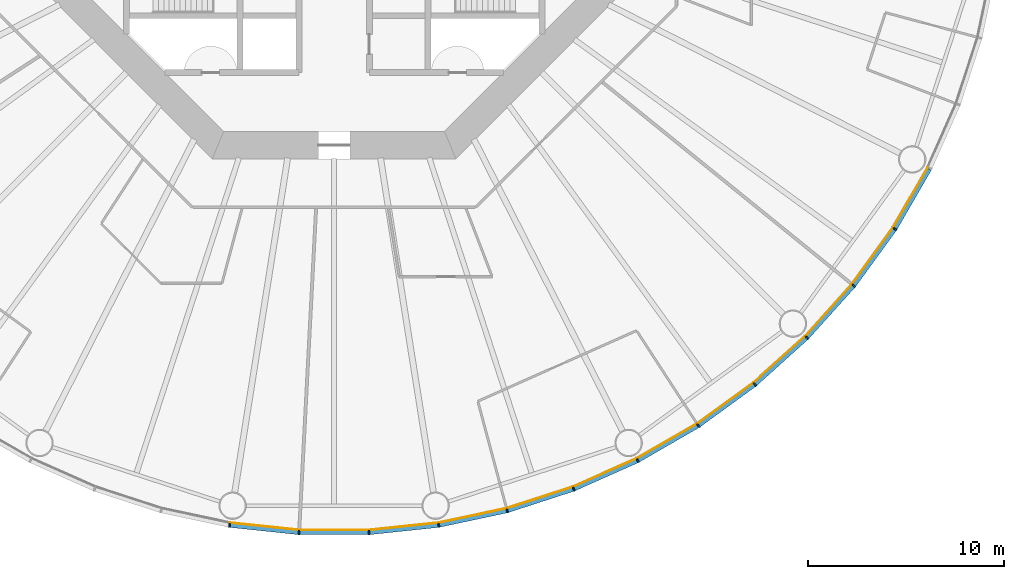
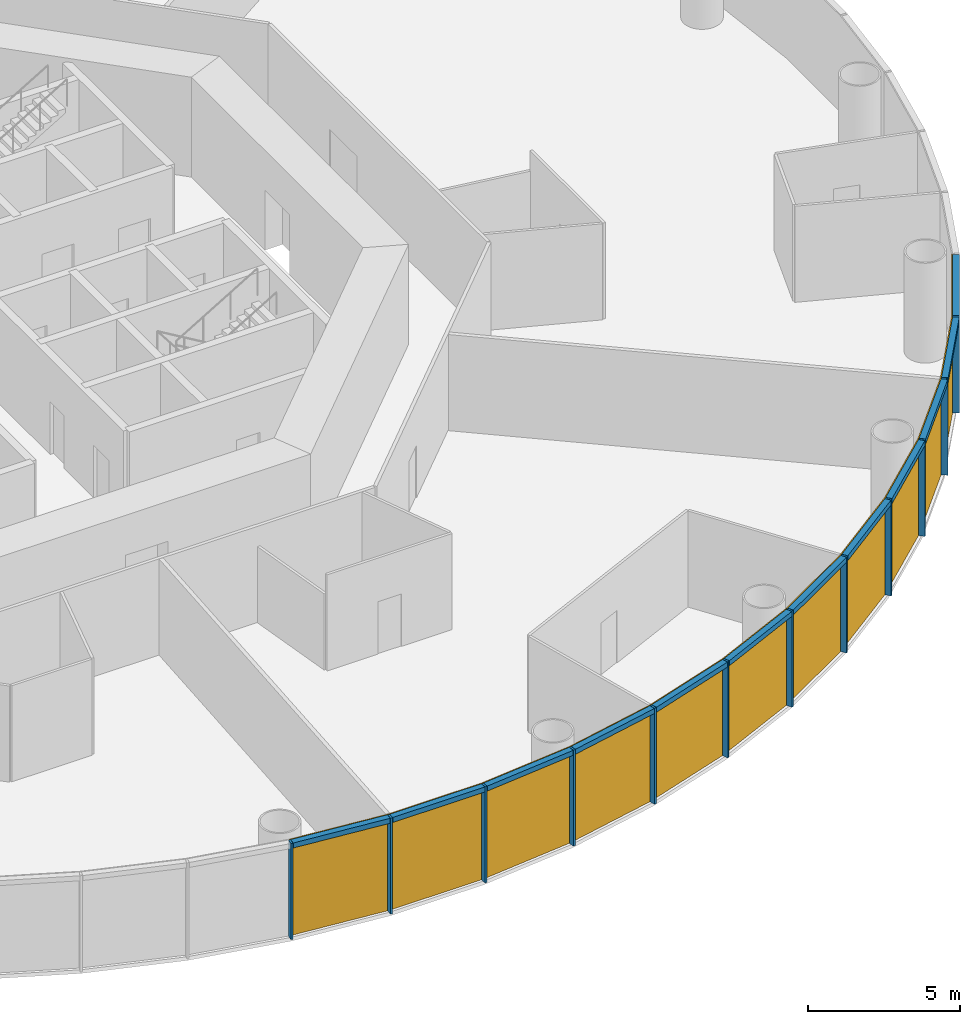
# One storey, part 8 of 13: 24 members, 4 curtain walls.
"""IFC4 building model written with IfcOpenShell, lengths in metres."""

from ifc_helpers import new_model, si_unit, direction, frame, origin, origin_2d, place, context, subcontext, project, spatial, polyline, rectangle, outline, extrude, material, layer, layer_set, material_profile, profile_set, type_object, element, aggregate, save


model = new_model("IFC4")

# Units and contexts
model_context = context("Model", 3, precision=1e-05, world=origin(), true_north=direction((0.0, 1.0)))
body_context = subcontext(model_context, "Body", "Model", "MODEL_VIEW")
ifc_project = project(units=[si_unit("LENGTHUNIT", "METRE"), si_unit("AREAUNIT", "SQUARE_METRE"), si_unit("VOLUMEUNIT", "CUBIC_METRE"), si_unit("PLANEANGLEUNIT", "RADIAN"), si_unit("MASSUNIT", "GRAM", prefix="KILO")], contexts=[model_context])

# Member
ifc_material_1 = material(Name="Anodised aluminium", Category="aluminium")
ifc_material_profile_1 = material_profile(ifc_material_1, rectangle(XDim=0.074951171875, YDim=0.219970703125, at=origin_2d()), Name="Mullion 75 x 220 mm anodised aluminium")
ifc_profile_set_1 = profile_set([ifc_material_profile_1], Name="Anodised aluminium")
member_type_1 = type_object("IfcMemberType", Name="Mullion 75 x 220 mm anodised aluminium", PredefinedType="MULLION", material=ifc_profile_set_1)
site_placement = place(None, origin())
building_placement = place(site_placement, origin())
storey_placement = place(building_placement, frame((0.0, 0.0, 30.0)))
member_1_placement = place(storey_placement, frame((84.6640625, 46.31005859375, 0.0), z_axis=(0.0, 0.0, 1.0), x_axis=(0.987688340595, -0.15643446504, 0.0)))
member_1 = element("IfcMember", 1, at=member_1_placement, type_object=member_type_1, Name="MULLION L05-42", PredefinedType="MULLION", context=body_context, shape_type="SweptSolid", body=[
    extrude(rectangle(XDim=0.074951171875, YDim=0.219970703125, at=origin_2d()), origin(), (0.0, 0.0, 1.0), 3.85009765625),
])

member_2_placement = place(storey_placement, frame((88.21484375, 45.936767578125, 0.0), z_axis=(0.0, 0.0, 1.0), x_axis=(0.998629534755, -0.052335956243, 0.0)))
member_2 = element("IfcMember", 2, at=member_2_placement, type_object=member_type_1, Name="MULLION L05-43", PredefinedType="MULLION", context=body_context, shape_type="SweptSolid", body=[
    extrude(rectangle(XDim=0.074951171875, YDim=0.219970703125, at=origin_2d()), origin(), (0.0, 0.0, 1.0), 3.85009765625),
])

member_3_placement = place(storey_placement, frame((91.78515625, 45.936767578125, 0.0), z_axis=(0.0, 0.0, 1.0), x_axis=(0.998629534755, 0.052335956243, 0.0)))
member_3 = element("IfcMember", 3, at=member_3_placement, type_object=member_type_1, Name="MULLION L05-44", PredefinedType="MULLION", context=body_context, shape_type="SweptSolid", body=[
    extrude(rectangle(XDim=0.074951171875, YDim=0.219970703125, at=origin_2d()), origin(), (0.0, 0.0, 1.0), 3.85009765625),
])

member_4_placement = place(storey_placement, frame((95.3359375, 46.31005859375, 0.0), z_axis=(0.0, 0.0, 1.0), x_axis=(0.987688340595, 0.15643446504, 0.0)))
member_4 = element("IfcMember", 4, at=member_4_placement, type_object=member_type_1, Name="MULLION L05-45", PredefinedType="MULLION", context=body_context, shape_type="SweptSolid", body=[
    extrude(rectangle(XDim=0.074951171875, YDim=0.219970703125, at=origin_2d()), origin(), (0.0, 0.0, 1.0), 3.85009765625),
])

member_5_placement = place(storey_placement, frame((98.828369140625, 47.05224609375, 0.0), z_axis=(0.0, 0.0, 1.0), x_axis=(0.965925826289, 0.258819045103, 0.0)))
member_5 = element("IfcMember", 5, at=member_5_placement, type_object=member_type_1, Name="MULLION L05-46", PredefinedType="MULLION", context=body_context, shape_type="SweptSolid", body=[
    extrude(rectangle(XDim=0.074951171875, YDim=0.219970703125, at=origin_2d()), origin(), (0.0, 0.0, 1.0), 3.85009765625),
])

member_6_placement = place(storey_placement, frame((102.223876953125, 48.155517578125, 0.0), z_axis=(0.0, 0.0, 1.0), x_axis=(0.933580426497, 0.358367949545, 0.0)))
member_6 = element("IfcMember", 6, at=member_6_placement, type_object=member_type_1, Name="MULLION L05-47", PredefinedType="MULLION", context=body_context, shape_type="SweptSolid", body=[
    extrude(rectangle(XDim=0.074951171875, YDim=0.219970703125, at=origin_2d()), origin(), (0.0, 0.0, 1.0), 3.85009765625),
])

member_7_placement = place(storey_placement, frame((105.485595703125, 49.607666015625, 0.0), z_axis=(0.0, 0.0, 1.0), x_axis=(0.891006524188, 0.45399049974, 0.0)))
member_7 = element("IfcMember", 7, at=member_7_placement, type_object=member_type_1, Name="MULLION L05-48", PredefinedType="MULLION", context=body_context, shape_type="SweptSolid", body=[
    extrude(rectangle(XDim=0.074951171875, YDim=0.219970703125, at=origin_2d()), origin(), (0.0, 0.0, 1.0), 3.85009765625),
])

member_8_placement = place(storey_placement, frame((108.57763671875, 51.39306640625, 0.0), z_axis=(0.0, 0.0, 1.0), x_axis=(0.838670567945, 0.544639035015, 0.0)))
member_8 = element("IfcMember", 8, at=member_8_placement, type_object=member_type_1, Name="MULLION L05-49", PredefinedType="MULLION", context=body_context, shape_type="SweptSolid", body=[
    extrude(rectangle(XDim=0.074951171875, YDim=0.219970703125, at=origin_2d()), origin(), (0.0, 0.0, 1.0), 3.85009765625),
])

member_9_placement = place(storey_placement, frame((111.466064453125, 53.491455078125, 0.0), z_axis=(0.0, 0.0, 1.0), x_axis=(0.777145961457, 0.62932039105, 0.0)))
member_9 = element("IfcMember", 9, at=member_9_placement, type_object=member_type_1, Name="MULLION L05-50", PredefinedType="MULLION", context=body_context, shape_type="SweptSolid", body=[
    extrude(rectangle(XDim=0.074951171875, YDim=0.219970703125, at=origin_2d()), origin(), (0.0, 0.0, 1.0), 3.85009765625),
])

member_10_placement = place(storey_placement, frame((114.119384765625, 55.880615234375, 0.0), z_axis=(0.0, 0.0, 1.0), x_axis=(0.707106781187, 0.707106781187, 0.0)))
member_10 = element("IfcMember", 10, at=member_10_placement, type_object=member_type_1, Name="MULLION L05-51", PredefinedType="MULLION", context=body_context, shape_type="SweptSolid", body=[
    extrude(rectangle(XDim=0.074951171875, YDim=0.219970703125, at=origin_2d()), origin(), (0.0, 0.0, 1.0), 3.85009765625),
])

member_11_placement = place(storey_placement, frame((116.508544921875, 58.533935546875, 0.0), z_axis=(0.0, 0.0, 1.0), x_axis=(0.62932039105, 0.777145961457, 0.0)))
member_11 = element("IfcMember", 11, at=member_11_placement, type_object=member_type_1, Name="MULLION L05-52", PredefinedType="MULLION", context=body_context, shape_type="SweptSolid", body=[
    extrude(rectangle(XDim=0.074951171875, YDim=0.219970703125, at=origin_2d()), origin(), (0.0, 0.0, 1.0), 3.85009765625),
])

member_12_placement = place(storey_placement, frame((118.60693359375, 61.42236328125, 0.0), z_axis=(0.0, 0.0, 1.0), x_axis=(0.544639035015, 0.838670567945, 0.0)))
member_12 = element("IfcMember", 12, at=member_12_placement, type_object=member_type_1, Name="MULLION L05-53", PredefinedType="MULLION", context=body_context, shape_type="SweptSolid", body=[
    extrude(rectangle(XDim=0.074951171875, YDim=0.219970703125, at=origin_2d()), origin(), (0.0, 0.0, 1.0), 3.85009765625),
])

ifc_material_2 = material(Name="Anodised aluminium", Category="aluminium")
ifc_material_profile_2 = material_profile(ifc_material_2, rectangle(XDim=0.219970703125, YDim=0.199951171875, at=origin_2d()), Name="Transom 200 x 220 mm anodised aluminium")
ifc_profile_set_2 = profile_set([ifc_material_profile_2], Name="Anodised aluminium")
member_type_2 = type_object("IfcMemberType", Name="Transom 200 x 220 mm anodised aluminium", PredefinedType="USERDEFINED", material=ifc_profile_set_2)
member_13_placement = place(storey_placement, frame((84.70703125, 46.30517578125, 3.75), z_axis=(0.994526551648, -0.104484152234, 0.0), x_axis=(0.104484152234, 0.994526551648, 0.0)))
member_13 = element("IfcMember", 13, at=member_13_placement, type_object=member_type_2, Name="TRANSOM L05-42", ObjectType="TRANSOM", PredefinedType="USERDEFINED", context=body_context, shape_type="SweptSolid", body=[
    extrude(rectangle(XDim=0.219970703125, YDim=0.199951171875, at=origin_2d()), origin(), (0.0, 0.0, 1.0), 3.48388671875),
])

member_14_placement = place(storey_placement, frame((88.258056640625, 45.9365234375, 3.75), z_axis=(1.0, 0.0, 0.0), x_axis=(0.0, 1.0, 0.0)))
member_14 = element("IfcMember", 14, at=member_14_placement, type_object=member_type_2, Name="TRANSOM L05-43", ObjectType="TRANSOM", PredefinedType="USERDEFINED", context=body_context, shape_type="SweptSolid", body=[
    extrude(rectangle(XDim=0.219970703125, YDim=0.199951171875, at=origin_2d()), origin(), (0.0, 0.0, 1.0), 3.48388671875),
])

member_15_placement = place(storey_placement, frame((91.828125, 45.941162109375, 3.75), z_axis=(0.994526551648, 0.104484152234, 0.0), x_axis=(-0.104484152234, 0.994526551648, 0.0)))
member_15 = element("IfcMember", 15, at=member_15_placement, type_object=member_type_2, Name="TRANSOM L05-44", ObjectType="TRANSOM", PredefinedType="USERDEFINED", context=body_context, shape_type="SweptSolid", body=[
    extrude(rectangle(XDim=0.219970703125, YDim=0.199951171875, at=origin_2d()), origin(), (0.0, 0.0, 1.0), 3.48388671875),
])

member_16_placement = place(storey_placement, frame((95.37841796875, 46.31884765625, 3.75), z_axis=(0.978145669426, 0.207920776701, 0.0), x_axis=(-0.207920776701, 0.978145669426, 0.0)))
member_16 = element("IfcMember", 16, at=member_16_placement, type_object=member_type_2, Name="TRANSOM L05-45", ObjectType="TRANSOM", PredefinedType="USERDEFINED", context=body_context, shape_type="SweptSolid", body=[
    extrude(rectangle(XDim=0.219970703125, YDim=0.199951171875, at=origin_2d()), origin(), (0.0, 0.0, 1.0), 3.48388671875),
])

member_17_placement = place(storey_placement, frame((98.869384765625, 47.0654296875, 3.75), z_axis=(0.951052605696, 0.309029029702, 0.0), x_axis=(-0.309029029702, 0.951052605696, 0.0)))
member_17 = element("IfcMember", 17, at=member_17_placement, type_object=member_type_2, Name="TRANSOM L05-46", ObjectType="TRANSOM", PredefinedType="USERDEFINED", context=body_context, shape_type="SweptSolid", body=[
    extrude(rectangle(XDim=0.219970703125, YDim=0.199951171875, at=origin_2d()), origin(), (0.0, 0.0, 1.0), 3.484130859375),
])

member_18_placement = place(storey_placement, frame((102.263427734375, 48.173095703125, 3.75), z_axis=(0.913545487371, 0.406736576304, 0.0), x_axis=(-0.406736576304, 0.913545487371, 0.0)))
member_18 = element("IfcMember", 18, at=member_18_placement, type_object=member_type_2, Name="TRANSOM L05-47", ObjectType="TRANSOM", PredefinedType="USERDEFINED", context=body_context, shape_type="SweptSolid", body=[
    extrude(rectangle(XDim=0.219970703125, YDim=0.199951171875, at=origin_2d()), origin(), (0.0, 0.0, 1.0), 3.48388671875),
])

member_19_placement = place(storey_placement, frame((105.523193359375, 49.629150390625, 3.75), z_axis=(0.866022206254, 0.500005538244, 0.0), x_axis=(-0.500005538244, 0.866022206254, 0.0)))
member_19 = element("IfcMember", 19, at=member_19_placement, type_object=member_type_2, Name="TRANSOM L05-48", ObjectType="TRANSOM", PredefinedType="USERDEFINED", context=body_context, shape_type="SweptSolid", body=[
    extrude(rectangle(XDim=0.219970703125, YDim=0.199951171875, at=origin_2d()), origin(), (0.0, 0.0, 1.0), 3.48388671875),
])

member_20_placement = place(storey_placement, frame((108.61279296875, 51.418212890625, 3.75), z_axis=(0.80899056535, 0.587821627006, 0.0), x_axis=(-0.587821627006, 0.80899056535, 0.0)))
member_20 = element("IfcMember", 20, at=member_20_placement, type_object=member_type_2, Name="TRANSOM L05-49", ObjectType="TRANSOM", PredefinedType="USERDEFINED", context=body_context, shape_type="SweptSolid", body=[
    extrude(rectangle(XDim=0.219970703125, YDim=0.199951171875, at=origin_2d()), origin(), (0.0, 0.0, 1.0), 3.48388671875),
])

member_21_placement = place(storey_placement, frame((111.498291015625, 53.520263671875, 3.75), z_axis=(0.743137329876, 0.669138930974, 0.0), x_axis=(-0.669138930974, 0.743137329876, 0.0)))
member_21 = element("IfcMember", 21, at=member_21_placement, type_object=member_type_2, Name="TRANSOM L05-50", ObjectType="TRANSOM", PredefinedType="USERDEFINED", context=body_context, shape_type="SweptSolid", body=[
    extrude(rectangle(XDim=0.219970703125, YDim=0.199951171875, at=origin_2d()), origin(), (0.0, 0.0, 1.0), 3.484130859375),
])

member_22_placement = place(storey_placement, frame((114.1484375, 55.91259765625, 3.75), z_axis=(0.669138930974, 0.743137329876, 0.0), x_axis=(-0.743137329876, 0.669138930974, 0.0)))
member_22 = element("IfcMember", 22, at=member_22_placement, type_object=member_type_2, Name="TRANSOM L05-51", ObjectType="TRANSOM", PredefinedType="USERDEFINED", context=body_context, shape_type="SweptSolid", body=[
    extrude(rectangle(XDim=0.219970703125, YDim=0.199951171875, at=origin_2d()), origin(), (0.0, 0.0, 1.0), 3.484130859375),
])

member_23_placement = place(storey_placement, frame((116.533935546875, 58.56884765625, 3.75), z_axis=(0.587821627006, 0.80899056535, 0.0), x_axis=(-0.80899056535, 0.587821627006, 0.0)))
member_23 = element("IfcMember", 23, at=member_23_placement, type_object=member_type_2, Name="TRANSOM L05-52", ObjectType="TRANSOM", PredefinedType="USERDEFINED", context=body_context, shape_type="SweptSolid", body=[
    extrude(rectangle(XDim=0.219970703125, YDim=0.199951171875, at=origin_2d()), origin(), (0.0, 0.0, 1.0), 3.48388671875),
])

member_24_placement = place(storey_placement, frame((118.62890625, 61.459716796875, 3.75), z_axis=(0.500005538244, 0.866022206254, 0.0), x_axis=(-0.866022206254, 0.500005538244, 0.0)))
member_24 = element("IfcMember", 24, at=member_24_placement, type_object=member_type_2, Name="TRANSOM L05-53", ObjectType="TRANSOM", PredefinedType="USERDEFINED", context=body_context, shape_type="SweptSolid", body=[
    extrude(rectangle(XDim=0.219970703125, YDim=0.199951171875, at=origin_2d()), origin(), (0.0, 0.0, 1.0), 3.48388671875),
])

# Site, building, storey
site = spatial("IfcSite", under=ifc_project, at=site_placement, CompositionType="ELEMENT")
building = spatial("IfcBuilding", under=site, at=building_placement, Name="Entoto Ring Tower", CompositionType="ELEMENT")
storey = spatial("IfcBuildingStorey", under=building, at=storey_placement, Name="L05", CompositionType="ELEMENT", Elevation=30.0)

# Curtain wall
ifc_material_3 = material(Name="Clear low-iron glass", Category="glass")
ifc_layer = layer(ifc_material_3, 0.0400390625)
ifc_layer_set = layer_set([ifc_layer], Name="Clear low-iron glass")
curtain_wall_type = type_object("IfcCurtainWallType", Name="Curtain wall system CW1 glazing 40 mm", PredefinedType="NOTDEFINED", material=ifc_layer_set)
curtain_wall_1_placement = place(storey_placement, origin())
curtain_wall_1 = element("IfcCurtainWall", 25, at=curtain_wall_1_placement, inside=storey, type_object=curtain_wall_type, Name="CW1 L05-15", PredefinedType="NOTDEFINED", context=body_context, shape_type="SweptSolid", body=[
    extrude(outline(polyline([(84.68115234375, 46.418701171875), (88.220458984375, 46.046630859375), (91.779541015625, 46.046630859375), (95.31884765625, 46.418701171875), (95.3125, 46.458251953125), (91.77734375, 46.086669921875), (88.22265625, 46.086669921875), (84.6875, 46.458251953125), (84.68115234375, 46.418701171875)])), origin(), (0.0, 0.0, 1.0), 3.85009765625),
])

aggregate(curtain_wall_1, [member_1, member_2, member_3, member_13, member_14, member_15])

curtain_wall_2_placement = place(storey_placement, origin())
curtain_wall_2 = element("IfcCurtainWall", 26, at=curtain_wall_2_placement, inside=storey, type_object=curtain_wall_type, Name="CW1 L05-16", PredefinedType="NOTDEFINED", context=body_context, shape_type="SweptSolid", body=[
    extrude(outline(polyline([(95.31884765625, 46.418701171875), (98.7998046875, 47.158447265625), (102.1845703125, 48.25830078125), (105.435791015625, 49.705810546875), (105.41748046875, 49.741455078125), (102.170166015625, 48.295654296875), (98.78955078125, 47.197265625), (95.3125, 46.458251953125), (95.31884765625, 46.418701171875)])), origin(), (0.0, 0.0, 1.0), 3.85009765625),
])

aggregate(curtain_wall_2, [member_4, member_5, member_6, member_16, member_17, member_18])

curtain_wall_3_placement = place(storey_placement, origin())
curtain_wall_3 = element("IfcCurtainWall", 27, at=curtain_wall_3_placement, inside=storey, type_object=curtain_wall_type, Name="CW1 L05-17", PredefinedType="NOTDEFINED", context=body_context, shape_type="SweptSolid", body=[
    extrude(outline(polyline([(105.435791015625, 49.705810546875), (108.517822265625, 51.485107421875), (111.39697265625, 53.5771484375), (114.041748046875, 55.958251953125), (114.013427734375, 55.986572265625), (111.37158203125, 53.608154296875), (108.495849609375, 51.518798828125), (105.41748046875, 49.741455078125), (105.435791015625, 49.705810546875)])), origin(), (0.0, 0.0, 1.0), 3.85009765625),
])

aggregate(curtain_wall_3, [member_7, member_8, member_9, member_19, member_20, member_21])

curtain_wall_4_placement = place(storey_placement, origin())
curtain_wall_4 = element("IfcCurtainWall", 28, at=curtain_wall_4_placement, inside=storey, type_object=curtain_wall_type, Name="CW1 L05-18", PredefinedType="NOTDEFINED", context=body_context, shape_type="SweptSolid", body=[
    extrude(outline(polyline([(114.041748046875, 55.958251953125), (116.4228515625, 58.60302734375), (118.514892578125, 61.482177734375), (120.294189453125, 64.564208984375), (120.258544921875, 64.58251953125), (118.481201171875, 61.504150390625), (116.391845703125, 58.62841796875), (114.013427734375, 55.986572265625), (114.041748046875, 55.958251953125)])), origin(), (0.0, 0.0, 1.0), 3.85009765625),
])

aggregate(curtain_wall_4, [member_10, member_11, member_12, member_22, member_23, member_24])

save(model, "model.ifc")
